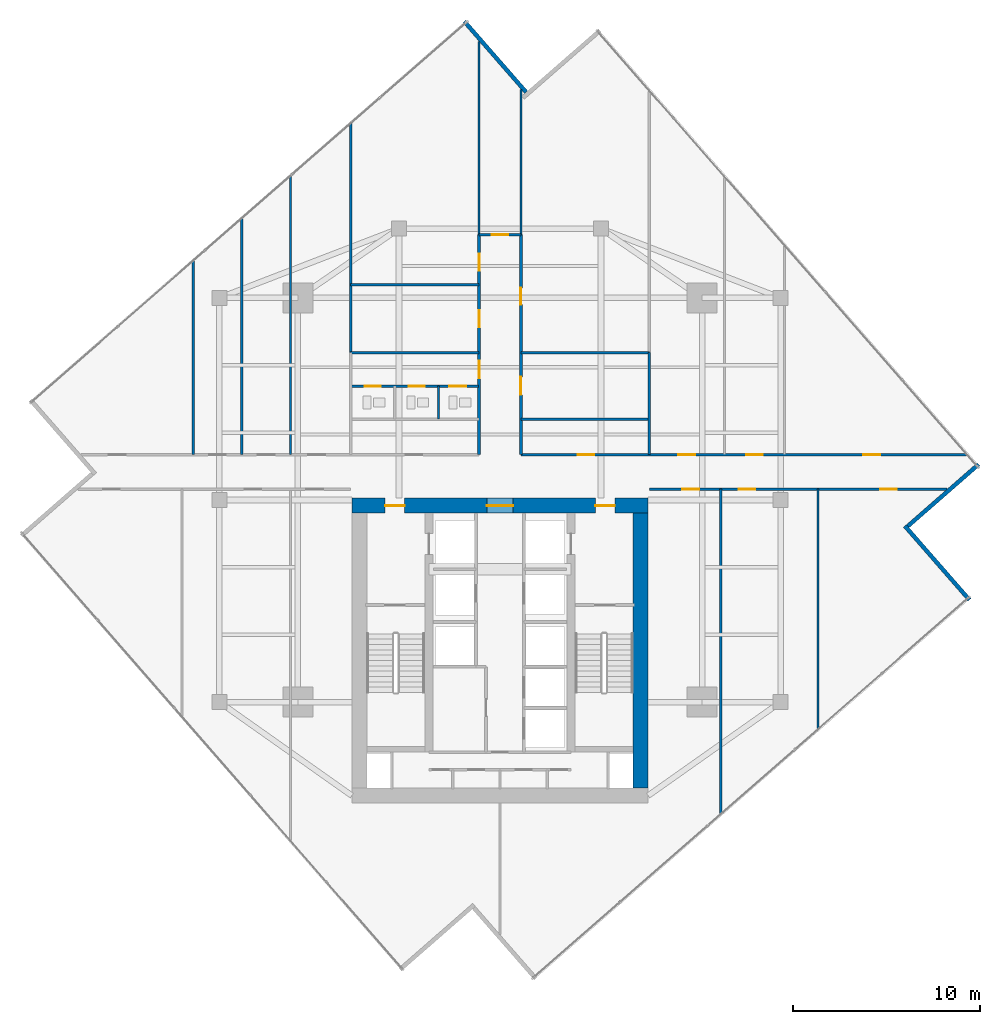
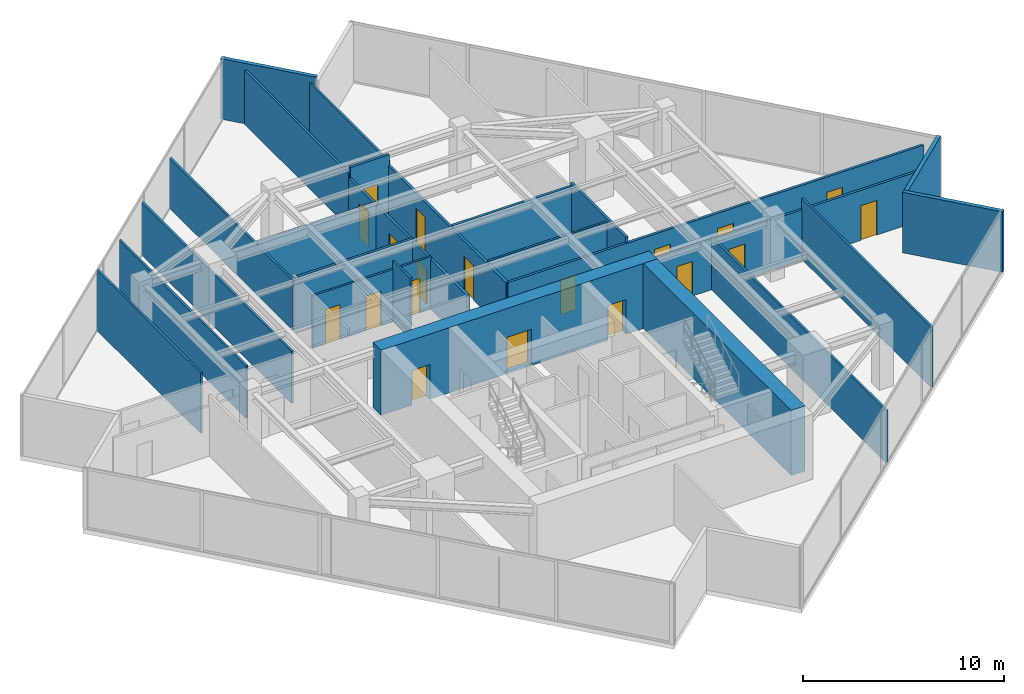
# One storey, part 21 of 24: 25 walls, 19 doors, 19 openings.
"""IFC4 building model written with IfcOpenShell, lengths in metres."""

from ifc_helpers import new_model, si_unit, direction, frame, frame_2d, origin, place, context, subcontext, project, spatial, rectangle, extrude, material, layer, layer_set, type_object, element, fill, save


model = new_model("IFC4")

# Units and contexts
model_context = context("Model", 3, precision=1e-05, world=origin(), true_north=direction((0.0, 1.0)))
body_context = subcontext(model_context, "Body", "Model", "MODEL_VIEW")
ifc_project = project(units=[si_unit("LENGTHUNIT", "METRE"), si_unit("AREAUNIT", "SQUARE_METRE"), si_unit("VOLUMEUNIT", "CUBIC_METRE"), si_unit("PLANEANGLEUNIT", "RADIAN"), si_unit("MASSUNIT", "GRAM", prefix="KILO")], contexts=[model_context])

# Site, building, storey
site_placement = place(None, origin())
site = spatial("IfcSite", under=ifc_project, at=site_placement, CompositionType="ELEMENT")
building_placement = place(site_placement, origin())
building = spatial("IfcBuilding", under=site, at=building_placement, Name="Krantzveldt Concourse Tower", CompositionType="ELEMENT")
storey_placement = place(building_placement, frame((0.0, 0.0, 250.75)))
storey = spatial("IfcBuildingStorey", under=building, at=storey_placement, Name="L61", CompositionType="ELEMENT", Elevation=250.75)

# Walls
ifc_material_1 = material(Name="Anodised aluminium 6063-T6", Category="aluminium")
ifc_layer_1 = layer(ifc_material_1, 0.219970703125, Name="Anodised aluminium 6063-T6", Category="aluminium")
ifc_layer_set_1 = layer_set([ifc_layer_1], Name="Anodised aluminium 6063-T6 (WL-EXT-NOTCH220)")
wall_type_1 = type_object("IfcWallType", Name="WL-EXT-NOTCH220", PredefinedType="ELEMENTEDWALL", material=ifc_layer_set_1)
wall_1_placement = place(storey_placement, frame((37.3984375, 48.497802734375, 0.0), z_axis=(0.0, 0.0, 1.0), x_axis=(-0.657706226339, 0.753274531518, 0.0)))
element("IfcWall", 1, at=wall_1_placement, inside=storey, type_object=wall_type_1, Name="EW-L61-NCH00", PredefinedType="ELEMENTEDWALL", context=body_context, shape_type="SweptSolid", body=[
    extrude(rectangle(XDim=5.02490234375, YDim=0.219970703125, at=frame_2d((2.512451171875, 0.0))), origin(), (0.0, 0.0, 1.0), 3.669921875),
])
wall_2_placement = place(storey_placement, frame((61.09228515625, 21.361083984375, 0.0), z_axis=(0.0, 0.0, 1.0), x_axis=(-0.657710057617, 0.7532711863, 0.0)))
element("IfcWall", 2, at=wall_2_placement, inside=storey, type_object=wall_type_1, Name="EW-L61-NCH08", PredefinedType="ELEMENTEDWALL", context=body_context, shape_type="SweptSolid", body=[
    extrude(rectangle(XDim=5.2451171875, YDim=0.219970703125, at=frame_2d((2.62255859375, 0.0))), origin(), (0.0, 0.0, 1.0), 3.669921875),
])
wall_3_placement = place(storey_placement, frame((57.7978515625, 25.301513671875, 0.0), z_axis=(0.0, 0.0, 1.0), x_axis=(0.753274531518, 0.657706226339, 0.0)))
element("IfcWall", 3, at=wall_3_placement, inside=storey, type_object=wall_type_1, Name="EW-L61-NCH09", PredefinedType="ELEMENTEDWALL", context=body_context, shape_type="SweptSolid", body=[
    extrude(rectangle(XDim=5.02490234375, YDim=0.219970703125, at=frame_2d((2.512451171875, 0.0))), origin(), (0.0, 0.0, 1.0), 3.669921875),
])
ifc_material_2 = material(Name="Fire-rated gypsum plasterboard on steel stud", Category="steel")
ifc_layer_2 = layer(ifc_material_2, 0.1201171875, Name="Fire-rated gypsum plasterboard on steel stud", Category="steel")
ifc_layer_set_2 = layer_set([ifc_layer_2], Name="Fire-rated gypsum plasterboard on steel stud (WL-PART-120)")
wall_type_2 = type_object("IfcWallType", Name="WL-PART-120", PredefinedType="PARTITIONING", material=ifc_layer_set_2)
wall_4_placement = place(storey_placement, frame((37.1201171875, 31.02001953125, 0.0), z_axis=(0.0, 0.0, 1.0), x_axis=(1.0, 0.0, 0.0)))
element("IfcWall", 4, at=wall_4_placement, inside=storey, type_object=wall_type_2, Name="WP-L61-ISMR", PredefinedType="PARTITIONING", context=body_context, shape_type="SweptSolid", body=[
    extrude(rectangle(XDim=6.85986328125, YDim=0.1201171875, at=frame_2d((3.429931640625, 0.0))), origin(), (0.0, 0.0, 1.0), 3.179931640625),
])

# Wall, openings, doors
wall_5_placement = place(storey_placement, frame((28.050048828125, 32.780029296875, 0.0), z_axis=(0.0, 0.0, 1.0), x_axis=(1.0, 0.0, 0.0)))
wall_5 = element("IfcWall", 5, at=wall_5_placement, inside=storey, type_object=wall_type_2, Name="WP-L61-WCHDR", PredefinedType="PARTITIONING", context=body_context, shape_type="SweptSolid", body=[
    extrude(rectangle(XDim=6.800048828125, YDim=0.1201171875, at=frame_2d((3.39990234375, 0.0))), origin(), (0.0, 0.0, 1.0), 3.179931640625),
])
opening_1_placement = place(wall_5_placement, frame((0.72509765625, 0.0, 0.0)))
opening_1 = element("IfcOpeningElement", 6, at=opening_1_placement, cuts=wall_5, Name="Opening D-IN085", PredefinedType="OPENING", context=body_context, shape_type="SweptSolid", body=[
    extrude(rectangle(XDim=0.85009765625, YDim=2.10009765625, at=frame_2d((0.425048828125, 1.050048828125))), frame((0.0, 0.070068359375, 0.0), z_axis=(0.0, -1.0, 0.0), x_axis=(1.0, 0.0, 0.0)), (0.0, 0.0, 1.0), 0.14013671875),
])
opening_2_placement = place(wall_5_placement, frame((3.06494140625, 0.0, 0.0)))
opening_2 = element("IfcOpeningElement", 7, at=opening_2_placement, cuts=wall_5, Name="Opening D-IN085", PredefinedType="OPENING", context=body_context, shape_type="SweptSolid", body=[
    extrude(rectangle(XDim=0.85009765625, YDim=2.10009765625, at=frame_2d((0.425048828125, 1.050048828125))), frame((0.0, 0.070068359375, 0.0), z_axis=(0.0, -1.0, 0.0), x_axis=(1.0, 0.0, 0.0)), (0.0, 0.0, 1.0), 0.14013671875),
])
opening_3_placement = place(wall_5_placement, frame((5.25, 0.0, 0.0)))
opening_3 = element("IfcOpeningElement", 8, at=opening_3_placement, cuts=wall_5, Name="Opening D-IN090", PredefinedType="OPENING", context=body_context, shape_type="SweptSolid", body=[
    extrude(rectangle(XDim=0.89990234375, YDim=2.10009765625, at=frame_2d((0.449951171875, 1.050048828125))), frame((0.0, 0.070068359375, 0.0), z_axis=(0.0, -1.0, 0.0), x_axis=(1.0, 0.0, 0.0)), (0.0, 0.0, 1.0), 0.14013671875),
])
ifc_material_3 = material(Name="Hardwood timber", Category="wood")
door_type_1 = type_object("IfcDoorType", Name="DR-INT-850", OperationType="SINGLE_SWING_LEFT", PredefinedType="DOOR", material=ifc_material_3)
door_1_placement = place(opening_1_placement, origin())
door_1 = element("IfcDoor", 9, at=door_1_placement, inside=storey, type_object=door_type_1, Name="DR-L61-WCM", OperationType="SINGLE_SWING_LEFT", OverallHeight=2.10009765625, OverallWidth=0.85009765625, PredefinedType="DOOR", context=body_context, shape_type="SweptSolid", body=[
    extrude(rectangle(XDim=0.85009765625, YDim=2.10009765625, at=frame_2d((0.425048828125, 1.050048828125))), frame((0.0, 0.02490234375, 0.0), z_axis=(0.0, -1.0, 0.0), x_axis=(1.0, 0.0, 0.0)), (0.0, 0.0, 1.0), 0.050048828125),
])
fill(opening_1, door_1)
door_2_placement = place(opening_2_placement, origin())
door_2 = element("IfcDoor", 10, at=door_2_placement, inside=storey, type_object=door_type_1, Name="DR-L61-WCF", OperationType="SINGLE_SWING_RIGHT", OverallHeight=2.10009765625, OverallWidth=0.85009765625, PredefinedType="DOOR", context=body_context, shape_type="SweptSolid", body=[
    extrude(rectangle(XDim=0.85009765625, YDim=2.10009765625, at=frame_2d((0.425048828125, 1.050048828125))), frame((0.0, 0.02490234375, 0.0), z_axis=(0.0, -1.0, 0.0), x_axis=(1.0, 0.0, 0.0)), (0.0, 0.0, 1.0), 0.050048828125),
])
fill(opening_2, door_2)
door_type_2 = type_object("IfcDoorType", Name="DR-INT-900", OperationType="SINGLE_SWING_LEFT", PredefinedType="DOOR", material=ifc_material_3)
door_3_placement = place(opening_3_placement, origin())
door_3 = element("IfcDoor", 11, at=door_3_placement, inside=storey, type_object=door_type_2, Name="DR-L61-WCA", OperationType="SINGLE_SWING_LEFT", OverallHeight=2.10009765625, OverallWidth=0.89990234375, PredefinedType="DOOR", context=body_context, shape_type="SweptSolid", body=[
    extrude(rectangle(XDim=0.89990234375, YDim=2.10009765625, at=frame_2d((0.449951171875, 1.050048828125))), frame((0.0, 0.02490234375, 0.0), z_axis=(0.0, -1.0, 0.0), x_axis=(1.0, 0.0, 0.0)), (0.0, 0.0, 1.0), 0.050048828125),
])
fill(opening_3, door_3)

# Walls
wall_6_placement = place(storey_placement, frame((32.7099609375, 31.02001953125, 0.0), z_axis=(0.0, 0.0, 1.0), x_axis=(0.0, 1.0, 0.0)))
element("IfcWall", 12, at=wall_6_placement, inside=storey, type_object=wall_type_2, Name="WP-L61-WCD2", PredefinedType="PARTITIONING", context=body_context, shape_type="SweptSolid", body=[
    extrude(rectangle(XDim=1.760009765625, YDim=0.1201171875, at=frame_2d((0.8798828125, 0.0))), origin(), (0.0, 0.0, 1.0), 3.669921875),
])
wall_7_placement = place(storey_placement, frame((34.8798828125, 40.8798828125, 0.0), z_axis=(0.0, 0.0, 1.0), x_axis=(0.0, 1.0, 0.0)))
element("IfcWall", 13, at=wall_7_placement, inside=storey, type_object=wall_type_2, Name="WP-L61-NTL", PredefinedType="PARTITIONING", context=body_context, shape_type="SweptSolid", body=[
    extrude(rectangle(XDim=10.32763671875, YDim=0.1201171875, at=frame_2d((5.163818359375, 0.0))), origin(), (0.0, 0.0, 1.0), 3.280029296875),
])
wall_8_placement = place(storey_placement, frame((37.1201171875, 40.8798828125, 0.0), z_axis=(0.0, 0.0, 1.0), x_axis=(0.0, 1.0, 0.0)))
element("IfcWall", 14, at=wall_8_placement, inside=storey, type_object=wall_type_2, Name="WP-L61-NTR", PredefinedType="PARTITIONING", context=body_context, shape_type="SweptSolid", body=[
    extrude(rectangle(XDim=7.76220703125, YDim=0.1201171875, at=frame_2d((3.881103515625, 0.0))), origin(), (0.0, 0.0, 1.0), 3.280029296875),
])
wall_9_placement = place(storey_placement, frame((19.60009765625, 29.1201171875, 0.0), z_axis=(0.0, 0.0, 1.0), x_axis=(0.0, 1.0, 0.0)))
element("IfcWall", 15, at=wall_9_placement, inside=storey, type_object=wall_type_2, Name="WP-L61-NWX1", PredefinedType="PARTITIONING", context=body_context, shape_type="SweptSolid", body=[
    extrude(rectangle(XDim=10.35546875, YDim=0.1201171875, at=frame_2d((5.177734375, 0.0))), origin(), (0.0, 0.0, 1.0), 3.669921875),
])
wall_10_placement = place(storey_placement, frame((22.199951171875, 29.1201171875, 0.0), z_axis=(0.0, 0.0, 1.0), x_axis=(0.0, 1.0, 0.0)))
element("IfcWall", 16, at=wall_10_placement, inside=storey, type_object=wall_type_2, Name="WP-L61-NWX2", PredefinedType="PARTITIONING", context=body_context, shape_type="SweptSolid", body=[
    extrude(rectangle(XDim=12.625732421875, YDim=0.1201171875, at=frame_2d((6.31298828125, 0.0))), origin(), (0.0, 0.0, 1.0), 3.179931640625),
])
wall_11_placement = place(storey_placement, frame((24.800048828125, 29.1201171875, 0.0), z_axis=(0.0, 0.0, 1.0), x_axis=(0.0, 1.0, 0.0)))
element("IfcWall", 17, at=wall_11_placement, inside=storey, type_object=wall_type_2, Name="WP-L61-NWX3", PredefinedType="PARTITIONING", context=body_context, shape_type="SweptSolid", body=[
    extrude(rectangle(XDim=14.89599609375, YDim=0.1201171875, at=frame_2d((7.447998046875, 0.0))), origin(), (0.0, 0.0, 1.0), 3.179931640625),
])
wall_12_placement = place(storey_placement, frame((28.02001953125, 34.580078125, 0.0), z_axis=(0.0, 0.0, 1.0), x_axis=(0.0, 1.0, 0.0)))
element("IfcWall", 18, at=wall_12_placement, inside=storey, type_object=wall_type_2, Name="WP-L61-ISWL2", PredefinedType="PARTITIONING", context=body_context, shape_type="SweptSolid", body=[
    extrude(rectangle(XDim=12.247314453125, YDim=0.1201171875, at=frame_2d((6.12353515625, 0.0))), origin(), (0.0, 0.0, 1.0), 3.030029296875),
])
wall_13_placement = place(storey_placement, frame((28.02001953125, 38.199951171875, 0.0), z_axis=(0.0, 0.0, 1.0), x_axis=(1.0, 0.0, 0.0)))
element("IfcWall", 19, at=wall_13_placement, inside=storey, type_object=wall_type_2, Name="WP-L61-NWIY", PredefinedType="PARTITIONING", context=body_context, shape_type="SweptSolid", body=[
    extrude(rectangle(XDim=6.85986328125, YDim=0.1201171875, at=frame_2d((3.429931640625, 0.0))), origin(), (0.0, 0.0, 1.0), 3.179931640625),
])
wall_14_placement = place(storey_placement, frame((47.800048828125, 9.907958984375, 0.0), z_axis=(0.0, 0.0, 1.0), x_axis=(0.0, 1.0, 0.0)))
element("IfcWall", 20, at=wall_14_placement, inside=storey, type_object=wall_type_2, Name="WP-L61-SEX1", PredefinedType="PARTITIONING", context=body_context, shape_type="SweptSolid", body=[
    extrude(rectangle(XDim=17.3720703125, YDim=0.1201171875, at=frame_2d((8.68603515625, 0.0))), origin(), (0.0, 0.0, 1.0), 3.179931640625),
])
wall_15_placement = place(storey_placement, frame((53.0, 14.447998046875, 0.0), z_axis=(0.0, 0.0, 1.0), x_axis=(0.0, 1.0, 0.0)))
element("IfcWall", 21, at=wall_15_placement, inside=storey, type_object=wall_type_2, Name="WP-L61-SEX2", PredefinedType="PARTITIONING", context=body_context, shape_type="SweptSolid", body=[
    extrude(rectangle(XDim=12.83203125, YDim=0.1201171875, at=frame_2d((6.416015625, 0.0))), origin(), (0.0, 0.0, 1.0), 3.669921875),
])

# Wall, openings, doors
ifc_layer_3 = layer(ifc_material_2, 0.139892578125, Name="Fire-rated gypsum plasterboard on steel stud", Category="steel")
ifc_layer_set_3 = layer_set([ifc_layer_3], Name="Fire-rated gypsum plasterboard on steel stud (WL-PART-140)")
wall_type_3 = type_object("IfcWallType", Name="WL-PART-140", PredefinedType="PARTITIONING", material=ifc_layer_set_3)
wall_16_placement = place(storey_placement, frame((34.8798828125, 29.1201171875, 0.0), z_axis=(0.0, 0.0, 1.0), x_axis=(0.0, 1.0, 0.0)))
wall_16 = element("IfcWall", 22, at=wall_16_placement, inside=storey, type_object=wall_type_3, Name="WP-L61-SPWL", PredefinedType="PARTITIONING", context=body_context, shape_type="SweptSolid", body=[
    extrude(rectangle(XDim=11.759765625, YDim=0.139892578125, at=frame_2d((5.8798828125, 0.0))), origin(), (0.0, 0.0, 1.0), 3.030029296875),
])
opening_4_placement = place(wall_16_placement, frame((4.0849609375, 0.0, 0.0)))
opening_4 = element("IfcOpeningElement", 23, at=opening_4_placement, cuts=wall_16, Name="Opening D-IN095", PredefinedType="OPENING", context=body_context, shape_type="SweptSolid", body=[
    extrude(rectangle(XDim=0.949951171875, YDim=2.10009765625, at=frame_2d((0.47509765625, 1.050048828125))), frame((0.0, 0.080078125, 0.0), z_axis=(0.0, -1.0, 0.0), x_axis=(1.0, 0.0, 0.0)), (0.0, 0.0, 1.0), 0.159912109375),
])
opening_5_placement = place(wall_16_placement, frame((6.820068359375, 0.0, 0.0)))
opening_5 = element("IfcOpeningElement", 24, at=opening_5_placement, cuts=wall_16, Name="Opening D-IN090", PredefinedType="OPENING", context=body_context, shape_type="SweptSolid", body=[
    extrude(rectangle(XDim=0.89990234375, YDim=2.10009765625, at=frame_2d((0.449951171875, 1.050048828125))), frame((0.0, 0.080078125, 0.0), z_axis=(0.0, -1.0, 0.0), x_axis=(1.0, 0.0, 0.0)), (0.0, 0.0, 1.0), 0.159912109375),
])
opening_6_placement = place(wall_16_placement, frame((9.830078125, 0.0, 0.0)))
opening_6 = element("IfcOpeningElement", 25, at=opening_6_placement, cuts=wall_16, Name="Opening D-IN090", PredefinedType="OPENING", context=body_context, shape_type="SweptSolid", body=[
    extrude(rectangle(XDim=0.89990234375, YDim=2.10009765625, at=frame_2d((0.449951171875, 1.050048828125))), frame((0.0, 0.080078125, 0.0), z_axis=(0.0, -1.0, 0.0), x_axis=(1.0, 0.0, 0.0)), (0.0, 0.0, 1.0), 0.159912109375),
])
door_4_placement = place(opening_5_placement, origin())
door_4 = element("IfcDoor", 26, at=door_4_placement, inside=storey, type_object=door_type_2, Name="DR-L61-NWI1", OperationType="SINGLE_SWING_LEFT", OverallHeight=2.10009765625, OverallWidth=0.89990234375, PredefinedType="DOOR", context=body_context, shape_type="SweptSolid", body=[
    extrude(rectangle(XDim=0.89990234375, YDim=2.10009765625, at=frame_2d((0.449951171875, 1.050048828125))), frame((0.0, 0.02490234375, 0.0), z_axis=(0.0, -1.0, 0.0), x_axis=(1.0, 0.0, 0.0)), (0.0, 0.0, 1.0), 0.050048828125),
])
fill(opening_5, door_4)
door_5_placement = place(opening_6_placement, origin())
door_5 = element("IfcDoor", 27, at=door_5_placement, inside=storey, type_object=door_type_2, Name="DR-L61-NWI2", OperationType="SINGLE_SWING_LEFT", OverallHeight=2.10009765625, OverallWidth=0.89990234375, PredefinedType="DOOR", context=body_context, shape_type="SweptSolid", body=[
    extrude(rectangle(XDim=0.89990234375, YDim=2.10009765625, at=frame_2d((0.449951171875, 1.050048828125))), frame((0.0, 0.02490234375, 0.0), z_axis=(0.0, -1.0, 0.0), x_axis=(1.0, 0.0, 0.0)), (0.0, 0.0, 1.0), 0.050048828125),
])
fill(opening_6, door_5)
door_type_3 = type_object("IfcDoorType", Name="DR-INT-950", OperationType="SINGLE_SWING_LEFT", PredefinedType="DOOR", material=ifc_material_3)
door_6_placement = place(opening_4_placement, origin())
door_6 = element("IfcDoor", 28, at=door_6_placement, inside=storey, type_object=door_type_3, Name="DR-L61-WCLB", OperationType="SINGLE_SWING_LEFT", OverallHeight=2.10009765625, OverallWidth=0.949951171875, PredefinedType="DOOR", context=body_context, shape_type="SweptSolid", body=[
    extrude(rectangle(XDim=0.949951171875, YDim=2.10009765625, at=frame_2d((0.47509765625, 1.050048828125))), frame((0.0, 0.02490234375, 0.0), z_axis=(0.0, -1.0, 0.0), x_axis=(1.0, 0.0, 0.0)), (0.0, 0.0, 1.0), 0.050048828125),
])
fill(opening_4, door_6)

wall_17_placement = place(storey_placement, frame((37.1201171875, 29.1201171875, 0.0), z_axis=(0.0, 0.0, 1.0), x_axis=(0.0, 1.0, 0.0)))
wall_17 = element("IfcWall", 29, at=wall_17_placement, inside=storey, type_object=wall_type_3, Name="WP-L61-SPER", PredefinedType="PARTITIONING", context=body_context, shape_type="SweptSolid", body=[
    extrude(rectangle(XDim=11.759765625, YDim=0.139892578125, at=frame_2d((5.8798828125, 0.0))), origin(), (0.0, 0.0, 1.0), 3.030029296875),
])
opening_7_placement = place(wall_17_placement, frame((3.205078125, 0.0, 0.0)))
opening_7 = element("IfcOpeningElement", 30, at=opening_7_placement, cuts=wall_17, Name="Opening D-IN095", PredefinedType="OPENING", context=body_context, shape_type="SweptSolid", body=[
    extrude(rectangle(XDim=0.949951171875, YDim=2.10009765625, at=frame_2d((0.47509765625, 1.050048828125))), frame((0.0, 0.080078125, 0.0), z_axis=(0.0, -1.0, 0.0), x_axis=(1.0, 0.0, 0.0)), (0.0, 0.0, 1.0), 0.159912109375),
])
opening_8_placement = place(wall_17_placement, frame((8.02001953125, 0.0, 0.0)))
opening_8 = element("IfcOpeningElement", 31, at=opening_8_placement, cuts=wall_17, Name="Opening D-IN090", PredefinedType="OPENING", context=body_context, shape_type="SweptSolid", body=[
    extrude(rectangle(XDim=0.89990234375, YDim=2.10009765625, at=frame_2d((0.449951171875, 1.050048828125))), frame((0.0, 0.080078125, 0.0), z_axis=(0.0, -1.0, 0.0), x_axis=(1.0, 0.0, 0.0)), (0.0, 0.0, 1.0), 0.159912109375),
])
door_7_placement = place(opening_8_placement, origin())
door_7 = element("IfcDoor", 32, at=door_7_placement, inside=storey, type_object=door_type_2, Name="DR-L61-NEI1", OperationType="SINGLE_SWING_LEFT", OverallHeight=2.10009765625, OverallWidth=0.89990234375, PredefinedType="DOOR", context=body_context, shape_type="SweptSolid", body=[
    extrude(rectangle(XDim=0.89990234375, YDim=2.10009765625, at=frame_2d((0.449951171875, 1.050048828125))), frame((0.0, 0.02490234375, 0.0), z_axis=(0.0, -1.0, 0.0), x_axis=(1.0, 0.0, 0.0)), (0.0, 0.0, 1.0), 0.050048828125),
])
fill(opening_8, door_7)
door_8_placement = place(opening_7_placement, origin())
door_8 = element("IfcDoor", 33, at=door_8_placement, inside=storey, type_object=door_type_3, Name="DR-L61-PNT", OperationType="SINGLE_SWING_RIGHT", OverallHeight=2.10009765625, OverallWidth=0.949951171875, PredefinedType="DOOR", context=body_context, shape_type="SweptSolid", body=[
    extrude(rectangle(XDim=0.949951171875, YDim=2.10009765625, at=frame_2d((0.47509765625, 1.050048828125))), frame((0.0, 0.02490234375, 0.0), z_axis=(0.0, -1.0, 0.0), x_axis=(1.0, 0.0, 0.0)), (0.0, 0.0, 1.0), 0.050048828125),
])
fill(opening_7, door_8)

# Wall, opening, door
wall_18_placement = place(storey_placement, frame((34.8798828125, 40.8798828125, 0.0), z_axis=(0.0, 0.0, 1.0), x_axis=(1.0, 0.0, 0.0)))
wall_18 = element("IfcWall", 34, at=wall_18_placement, inside=storey, type_object=wall_type_3, Name="WP-L61-SPTOP", PredefinedType="PARTITIONING", context=body_context, shape_type="SweptSolid", body=[
    extrude(rectangle(XDim=2.240234375, YDim=0.139892578125, at=frame_2d((1.1201171875, 0.0))), origin(), (0.0, 0.0, 1.0), 3.669921875),
])
opening_9_placement = place(wall_18_placement, frame((0.669921875, 0.0, 0.0)))
opening_9 = element("IfcOpeningElement", 35, at=opening_9_placement, cuts=wall_18, Name="Opening D-IN090", PredefinedType="OPENING", context=body_context, shape_type="SweptSolid", body=[
    extrude(rectangle(XDim=0.89990234375, YDim=2.10009765625, at=frame_2d((0.449951171875, 1.050048828125))), frame((0.0, 0.080078125, 0.0), z_axis=(0.0, -1.0, 0.0), x_axis=(1.0, 0.0, 0.0)), (0.0, 0.0, 1.0), 0.159912109375),
])
door_9_placement = place(opening_9_placement, origin())
door_9 = element("IfcDoor", 36, at=door_9_placement, inside=storey, type_object=door_type_2, Name="DR-L61-NTOP", OperationType="SINGLE_SWING_LEFT", OverallHeight=2.10009765625, OverallWidth=0.89990234375, PredefinedType="DOOR", context=body_context, shape_type="SweptSolid", body=[
    extrude(rectangle(XDim=0.89990234375, YDim=2.10009765625, at=frame_2d((0.449951171875, 1.050048828125))), frame((0.0, 0.02490234375, 0.0), z_axis=(0.0, -1.0, 0.0), x_axis=(1.0, 0.0, 0.0)), (0.0, 0.0, 1.0), 0.050048828125),
])
fill(opening_9, door_9)

# Wall, openings, doors
wall_19_placement = place(storey_placement, frame((37.1201171875, 29.1201171875, 0.0), z_axis=(0.0, 0.0, 1.0), x_axis=(1.0, 0.0, 0.0)))
wall_19 = element("IfcWall", 37, at=wall_19_placement, inside=storey, type_object=wall_type_3, Name="WP-L61-EWNR", PredefinedType="PARTITIONING", context=body_context, shape_type="SweptSolid", body=[
    extrude(rectangle(XDim=23.86181640625, YDim=0.139892578125, at=frame_2d((11.930908203125, 0.0))), origin(), (0.0, 0.0, 1.0), 3.030029296875),
])
opening_10_placement = place(wall_19_placement, frame((3.030029296875, 0.0, 0.0)))
opening_10 = element("IfcOpeningElement", 38, at=opening_10_placement, cuts=wall_19, Name="Opening D-IN090", PredefinedType="OPENING", context=body_context, shape_type="SweptSolid", body=[
    extrude(rectangle(XDim=0.89990234375, YDim=2.10009765625, at=frame_2d((0.449951171875, 1.050048828125))), frame((0.0, 0.080078125, 0.0), z_axis=(0.0, -1.0, 0.0), x_axis=(1.0, 0.0, 0.0)), (0.0, 0.0, 1.0), 0.159912109375),
])
opening_11_placement = place(wall_19_placement, frame((8.419921875, 0.0, 0.0)))
opening_11 = element("IfcOpeningElement", 39, at=opening_11_placement, cuts=wall_19, Name="Opening D-IN090", PredefinedType="OPENING", context=body_context, shape_type="SweptSolid", body=[
    extrude(rectangle(XDim=0.89990234375, YDim=2.10009765625, at=frame_2d((0.449951171875, 1.050048828125))), frame((0.0, 0.080078125, 0.0), z_axis=(0.0, -1.0, 0.0), x_axis=(1.0, 0.0, 0.0)), (0.0, 0.0, 1.0), 0.159912109375),
])
opening_12_placement = place(wall_19_placement, frame((12.030029296875, 0.0, 0.0)))
opening_12 = element("IfcOpeningElement", 40, at=opening_12_placement, cuts=wall_19, Name="Opening D-IN090", PredefinedType="OPENING", context=body_context, shape_type="SweptSolid", body=[
    extrude(rectangle(XDim=0.89990234375, YDim=2.10009765625, at=frame_2d((0.449951171875, 1.050048828125))), frame((0.0, 0.080078125, 0.0), z_axis=(0.0, -1.0, 0.0), x_axis=(1.0, 0.0, 0.0)), (0.0, 0.0, 1.0), 0.159912109375),
])
opening_13_placement = place(wall_19_placement, frame((18.29296875, 0.0, 0.0)))
opening_13 = element("IfcOpeningElement", 41, at=opening_13_placement, cuts=wall_19, Name="Opening D-IN090", PredefinedType="OPENING", context=body_context, shape_type="SweptSolid", body=[
    extrude(rectangle(XDim=0.89990234375, YDim=2.10009765625, at=frame_2d((0.449951171875, 1.050048828125))), frame((0.0, 0.080078125, 0.0), z_axis=(0.0, -1.0, 0.0), x_axis=(1.0, 0.0, 0.0)), (0.0, 0.0, 1.0), 0.159912109375),
])
door_10_placement = place(opening_10_placement, origin())
door_10 = element("IfcDoor", 42, at=door_10_placement, inside=storey, type_object=door_type_2, Name="DR-L61-ALCR", OperationType="SINGLE_SWING_RIGHT", OverallHeight=2.10009765625, OverallWidth=0.89990234375, PredefinedType="DOOR", context=body_context, shape_type="SweptSolid", body=[
    extrude(rectangle(XDim=0.89990234375, YDim=2.10009765625, at=frame_2d((0.449951171875, 1.050048828125))), frame((0.0, 0.02490234375, 0.0), z_axis=(0.0, -1.0, 0.0), x_axis=(1.0, 0.0, 0.0)), (0.0, 0.0, 1.0), 0.050048828125),
])
fill(opening_10, door_10)
door_11_placement = place(opening_11_placement, origin())
door_11 = element("IfcDoor", 43, at=door_11_placement, inside=storey, type_object=door_type_2, Name="DR-L61-NEX1", OperationType="SINGLE_SWING_RIGHT", OverallHeight=2.10009765625, OverallWidth=0.89990234375, PredefinedType="DOOR", context=body_context, shape_type="SweptSolid", body=[
    extrude(rectangle(XDim=0.89990234375, YDim=2.10009765625, at=frame_2d((0.449951171875, 1.050048828125))), frame((0.0, 0.02490234375, 0.0), z_axis=(0.0, -1.0, 0.0), x_axis=(1.0, 0.0, 0.0)), (0.0, 0.0, 1.0), 0.050048828125),
])
fill(opening_11, door_11)
door_12_placement = place(opening_12_placement, origin())
door_12 = element("IfcDoor", 44, at=door_12_placement, inside=storey, type_object=door_type_2, Name="DR-L61-NEX2", OperationType="SINGLE_SWING_RIGHT", OverallHeight=2.10009765625, OverallWidth=0.89990234375, PredefinedType="DOOR", context=body_context, shape_type="SweptSolid", body=[
    extrude(rectangle(XDim=0.89990234375, YDim=2.10009765625, at=frame_2d((0.449951171875, 1.050048828125))), frame((0.0, 0.02490234375, 0.0), z_axis=(0.0, -1.0, 0.0), x_axis=(1.0, 0.0, 0.0)), (0.0, 0.0, 1.0), 0.050048828125),
])
fill(opening_12, door_12)
door_13_placement = place(opening_13_placement, origin())
door_13 = element("IfcDoor", 45, at=door_13_placement, inside=storey, type_object=door_type_2, Name="DR-L61-NEX3", OperationType="SINGLE_SWING_RIGHT", OverallHeight=2.10009765625, OverallWidth=0.89990234375, PredefinedType="DOOR", context=body_context, shape_type="SweptSolid", body=[
    extrude(rectangle(XDim=0.89990234375, YDim=2.10009765625, at=frame_2d((0.449951171875, 1.050048828125))), frame((0.0, 0.02490234375, 0.0), z_axis=(0.0, -1.0, 0.0), x_axis=(1.0, 0.0, 0.0)), (0.0, 0.0, 1.0), 0.050048828125),
])
fill(opening_13, door_13)

wall_20_placement = place(storey_placement, frame((44.0, 27.280029296875, 0.0), z_axis=(0.0, 0.0, 1.0), x_axis=(1.0, 0.0, 0.0)))
wall_20 = element("IfcWall", 46, at=wall_20_placement, inside=storey, type_object=wall_type_3, Name="WP-L61-EWSR", PredefinedType="PARTITIONING", context=body_context, shape_type="SweptSolid", body=[
    extrude(rectangle(XDim=15.888916015625, YDim=0.139892578125, at=frame_2d((7.9443359375, 0.0))), origin(), (0.0, 0.0, 1.0), 3.030029296875),
])
opening_14_placement = place(wall_20_placement, frame((1.75, 0.0, 0.0)))
opening_14 = element("IfcOpeningElement", 47, at=opening_14_placement, cuts=wall_20, Name="Opening D-IN090", PredefinedType="OPENING", context=body_context, shape_type="SweptSolid", body=[
    extrude(rectangle(XDim=0.89990234375, YDim=2.10009765625, at=frame_2d((0.449951171875, 1.050048828125))), frame((0.0, 0.080078125, 0.0), z_axis=(0.0, -1.0, 0.0), x_axis=(1.0, 0.0, 0.0)), (0.0, 0.0, 1.0), 0.159912109375),
])
opening_15_placement = place(wall_20_placement, frame((4.75, 0.0, 0.0)))
opening_15 = element("IfcOpeningElement", 48, at=opening_15_placement, cuts=wall_20, Name="Opening D-IN090", PredefinedType="OPENING", context=body_context, shape_type="SweptSolid", body=[
    extrude(rectangle(XDim=0.89990234375, YDim=2.10009765625, at=frame_2d((0.449951171875, 1.050048828125))), frame((0.0, 0.080078125, 0.0), z_axis=(0.0, -1.0, 0.0), x_axis=(1.0, 0.0, 0.0)), (0.0, 0.0, 1.0), 0.159912109375),
])
opening_16_placement = place(wall_20_placement, frame((12.31298828125, 0.0, 0.0)))
opening_16 = element("IfcOpeningElement", 49, at=opening_16_placement, cuts=wall_20, Name="Opening D-IN090", PredefinedType="OPENING", context=body_context, shape_type="SweptSolid", body=[
    extrude(rectangle(XDim=0.89990234375, YDim=2.10009765625, at=frame_2d((0.449951171875, 1.050048828125))), frame((0.0, 0.080078125, 0.0), z_axis=(0.0, -1.0, 0.0), x_axis=(1.0, 0.0, 0.0)), (0.0, 0.0, 1.0), 0.159912109375),
])
door_14_placement = place(opening_14_placement, origin())
door_14 = element("IfcDoor", 50, at=door_14_placement, inside=storey, type_object=door_type_2, Name="DR-L61-SEX1", OperationType="SINGLE_SWING_RIGHT", OverallHeight=2.10009765625, OverallWidth=0.89990234375, PredefinedType="DOOR", context=body_context, shape_type="SweptSolid", body=[
    extrude(rectangle(XDim=0.89990234375, YDim=2.10009765625, at=frame_2d((0.449951171875, 1.050048828125))), frame((0.0, 0.02490234375, 0.0), z_axis=(0.0, -1.0, 0.0), x_axis=(1.0, 0.0, 0.0)), (0.0, 0.0, 1.0), 0.050048828125),
])
fill(opening_14, door_14)
door_15_placement = place(opening_15_placement, origin())
door_15 = element("IfcDoor", 51, at=door_15_placement, inside=storey, type_object=door_type_2, Name="DR-L61-SEX2", OperationType="SINGLE_SWING_RIGHT", OverallHeight=2.10009765625, OverallWidth=0.89990234375, PredefinedType="DOOR", context=body_context, shape_type="SweptSolid", body=[
    extrude(rectangle(XDim=0.89990234375, YDim=2.10009765625, at=frame_2d((0.449951171875, 1.050048828125))), frame((0.0, 0.02490234375, 0.0), z_axis=(0.0, -1.0, 0.0), x_axis=(1.0, 0.0, 0.0)), (0.0, 0.0, 1.0), 0.050048828125),
])
fill(opening_15, door_15)
door_16_placement = place(opening_16_placement, origin())
door_16 = element("IfcDoor", 52, at=door_16_placement, inside=storey, type_object=door_type_2, Name="DR-L61-SEX3", OperationType="SINGLE_SWING_RIGHT", OverallHeight=2.10009765625, OverallWidth=0.89990234375, PredefinedType="DOOR", context=body_context, shape_type="SweptSolid", body=[
    extrude(rectangle(XDim=0.89990234375, YDim=2.10009765625, at=frame_2d((0.449951171875, 1.050048828125))), frame((0.0, 0.02490234375, 0.0), z_axis=(0.0, -1.0, 0.0), x_axis=(1.0, 0.0, 0.0)), (0.0, 0.0, 1.0), 0.050048828125),
])
fill(opening_16, door_16)

# Walls
for number, where, z_axis, x_axis, name in (
    (53, (28.02001953125, 34.580078125, 0.0), (0.0, 0.0, 1.0), (1.0, 0.0, 0.0), "WP-L61-ISNL"),
    (54, (37.1201171875, 34.580078125, 0.0), (0.0, 0.0, 1.0), (1.0, 0.0, 0.0), "WP-L61-ISNR"),
):
    element("IfcWall", number, at=place(storey_placement, frame(where, z_axis=z_axis, x_axis=x_axis)), inside=storey, type_object=wall_type_3, Name=name, PredefinedType="PARTITIONING", context=body_context, shape_type="SweptSolid", body=[
        extrude(rectangle(XDim=6.85986328125, YDim=0.139892578125, at=frame_2d((3.429931640625, 0.0))), origin(), (0.0, 0.0, 1.0), 3.179931640625),
    ])
wall_21_placement = place(storey_placement, frame((43.97998046875, 29.1201171875, 0.0), z_axis=(0.0, 0.0, 1.0), x_axis=(0.0, 1.0, 0.0)))
element("IfcWall", 55, at=wall_21_placement, inside=storey, type_object=wall_type_3, Name="WP-L61-ISER", PredefinedType="PARTITIONING", context=body_context, shape_type="SweptSolid", body=[
    extrude(rectangle(XDim=5.4599609375, YDim=0.139892578125, at=frame_2d((2.72998046875, 0.0))), origin(), (0.0, 0.0, 1.0), 3.3701171875),
])

# Wall, openings, doors
ifc_material_4 = material(Name="Concrete C60/75", Category="concrete")
ifc_layer_4 = layer(ifc_material_4, 0.800048828125, Name="Concrete C60/75", Category="concrete")
ifc_layer_set_4 = layer_set([ifc_layer_4], Name="Concrete C60/75 (WL-SHEAR-800)")
wall_type_4 = type_object("IfcWallType", Name="WL-SHEAR-800", PredefinedType="SHEAR", material=ifc_layer_set_4)
wall_22_placement = place(storey_placement, frame((28.080078125, 26.39990234375, 0.0), z_axis=(0.0, 0.0, 1.0), x_axis=(1.0, 0.0, 0.0)))
wall_22 = element("IfcWall", 56, at=wall_22_placement, inside=storey, type_object=wall_type_4, Name="CW-L61-N", PredefinedType="SHEAR", context=body_context, shape_type="SweptSolid", body=[
    extrude(rectangle(XDim=15.83984375, YDim=0.800048828125, at=frame_2d((7.919921875, 0.0))), origin(), (0.0, 0.0, 1.0), 3.949951171875),
])
opening_17_placement = place(wall_22_placement, frame((7.219970703125, 0.0, 0.0)))
opening_17 = element("IfcOpeningElement", 57, at=opening_17_placement, cuts=wall_22, Name="Opening D-DB140", PredefinedType="OPENING", context=body_context, shape_type="SweptSolid", body=[
    extrude(rectangle(XDim=1.39990234375, YDim=2.199951171875, at=frame_2d((0.699951171875, 1.10009765625))), frame((0.0, 0.41015625, 0.0), z_axis=(0.0, -1.0, 0.0), x_axis=(1.0, 0.0, 0.0)), (0.0, 0.0, 1.0), 0.820068359375),
])
opening_18_placement = place(wall_22_placement, frame((1.77490234375, 0.0, 0.0)))
opening_18 = element("IfcOpeningElement", 58, at=opening_18_placement, cuts=wall_22, Name="Opening D-FD105", PredefinedType="OPENING", context=body_context, shape_type="SweptSolid", body=[
    extrude(rectangle(XDim=1.050048828125, YDim=2.10009765625, at=frame_2d((0.52490234375, 1.050048828125))), frame((0.0, 0.41015625, 0.0), z_axis=(0.0, -1.0, 0.0), x_axis=(1.0, 0.0, 0.0)), (0.0, 0.0, 1.0), 0.820068359375),
])
opening_19_placement = place(wall_22_placement, frame((13.014892578125, 0.0, 0.0)))
opening_19 = element("IfcOpeningElement", 59, at=opening_19_placement, cuts=wall_22, Name="Opening D-FD105", PredefinedType="OPENING", context=body_context, shape_type="SweptSolid", body=[
    extrude(rectangle(XDim=1.050048828125, YDim=2.10009765625, at=frame_2d((0.52490234375, 1.050048828125))), frame((0.0, 0.41015625, 0.0), z_axis=(0.0, -1.0, 0.0), x_axis=(1.0, 0.0, 0.0)), (0.0, 0.0, 1.0), 0.820068359375),
])
door_type_4 = type_object("IfcDoorType", Name="DR-DBL-1400", OperationType="DOUBLE_DOOR_SINGLE_SWING", PredefinedType="DOOR", material=ifc_material_1)
door_17_placement = place(opening_17_placement, origin())
door_17 = element("IfcDoor", 60, at=door_17_placement, inside=storey, type_object=door_type_4, Name="DR-L61-LLB", OperationType="DOUBLE_DOOR_SINGLE_SWING", OverallHeight=2.199951171875, OverallWidth=1.39990234375, PredefinedType="DOOR", context=body_context, shape_type="SweptSolid", body=[
    extrude(rectangle(XDim=1.39990234375, YDim=2.199951171875, at=frame_2d((0.699951171875, 1.10009765625))), frame((0.0, 0.02490234375, 0.0), z_axis=(0.0, -1.0, 0.0), x_axis=(1.0, 0.0, 0.0)), (0.0, 0.0, 1.0), 0.050048828125),
])
fill(opening_17, door_17)
ifc_material_5 = material(Name="Galvanised steel", Category="steel")
door_type_5 = type_object("IfcDoorType", Name="DR-FD120-1050", OperationType="SINGLE_SWING_LEFT", PredefinedType="DOOR", material=ifc_material_5)
door_18_placement = place(opening_18_placement, origin())
door_18 = element("IfcDoor", 61, at=door_18_placement, inside=storey, type_object=door_type_5, Name="DR-L61-FFL1", OperationType="SINGLE_SWING_LEFT", OverallHeight=2.10009765625, OverallWidth=1.050048828125, PredefinedType="DOOR", context=body_context, shape_type="SweptSolid", body=[
    extrude(rectangle(XDim=1.050048828125, YDim=2.10009765625, at=frame_2d((0.52490234375, 1.050048828125))), frame((0.0, 0.02490234375, 0.0), z_axis=(0.0, -1.0, 0.0), x_axis=(1.0, 0.0, 0.0)), (0.0, 0.0, 1.0), 0.050048828125),
])
fill(opening_18, door_18)
door_19_placement = place(opening_19_placement, origin())
door_19 = element("IfcDoor", 62, at=door_19_placement, inside=storey, type_object=door_type_5, Name="DR-L61-FFL2", OperationType="SINGLE_SWING_RIGHT", OverallHeight=2.10009765625, OverallWidth=1.050048828125, PredefinedType="DOOR", context=body_context, shape_type="SweptSolid", body=[
    extrude(rectangle(XDim=1.050048828125, YDim=2.10009765625, at=frame_2d((0.52490234375, 1.050048828125))), frame((0.0, 0.02490234375, 0.0), z_axis=(0.0, -1.0, 0.0), x_axis=(1.0, 0.0, 0.0)), (0.0, 0.0, 1.0), 0.050048828125),
])
fill(opening_19, door_19)

# Wall
wall_23_placement = place(storey_placement, frame((43.52001953125, 11.300048828125, 0.0), z_axis=(0.0, 0.0, 1.0), x_axis=(0.0, 1.0, 0.0)))
element("IfcWall", 63, at=wall_23_placement, inside=storey, type_object=wall_type_4, Name="CW-L61-E", PredefinedType="SHEAR", context=body_context, shape_type="SweptSolid", body=[
    extrude(rectangle(XDim=14.699951171875, YDim=0.800048828125, at=frame_2d((7.35009765625, 0.0))), origin(), (0.0, 0.0, 1.0), 3.949951171875),
])

save(model, "model.ifc")
